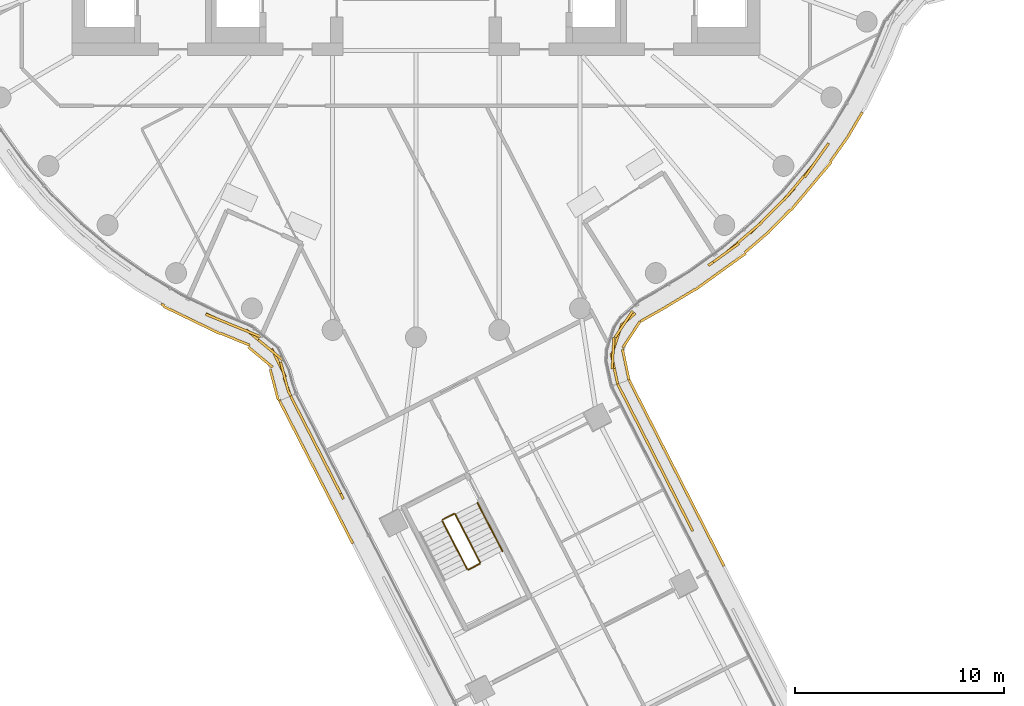
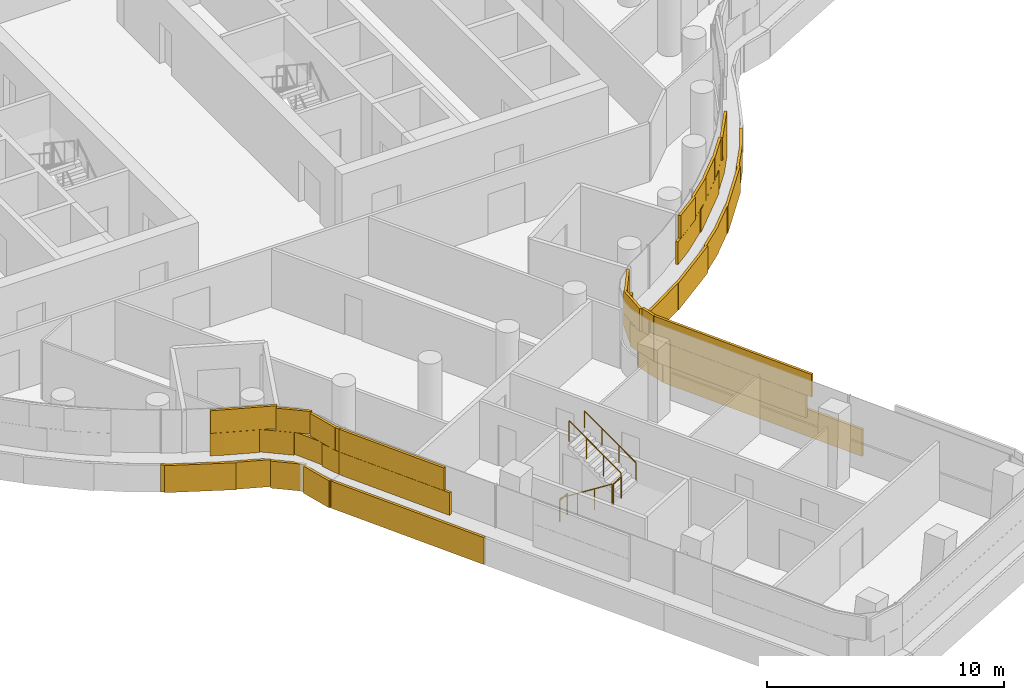
# One storey, part 29 of 37: 5 railings, 4 coverings.
"""IFC4 building model written with IfcOpenShell, lengths in metres."""

from ifc_helpers import new_model, si_unit, direction, frame, origin, origin_2d, place, context, subcontext, project, spatial, rectangle, circle, extrude, material, layer, layer_set, type_object, element, save


model = new_model("IFC4")

# Units and contexts
model_context = context("Model", 3, precision=1e-05, world=origin(), true_north=direction((0.0, 1.0)))
body_context = subcontext(model_context, "Body", "Model", "MODEL_VIEW")
ifc_project = project(units=[si_unit("LENGTHUNIT", "METRE"), si_unit("AREAUNIT", "SQUARE_METRE"), si_unit("VOLUMEUNIT", "CUBIC_METRE"), si_unit("PLANEANGLEUNIT", "RADIAN"), si_unit("MASSUNIT", "GRAM", prefix="KILO")], contexts=[model_context])

# Site, building, storey
site_placement = place(None, origin())
site = spatial("IfcSite", under=ifc_project, at=site_placement, CompositionType="ELEMENT")
building_placement = place(site_placement, origin())
building = spatial("IfcBuilding", under=site, at=building_placement, Name="Tamarind Cross Interchange Tower", CompositionType="ELEMENT")
storey_placement = place(building_placement, frame((0.0, 0.0, 133.0)))
storey = spatial("IfcBuildingStorey", under=building, at=storey_placement, Name="L32", CompositionType="ELEMENT", Elevation=133.0)

# Railings
ifc_material_1 = material(Name="Stair guard")
railing_type_1 = type_object("IfcRailingType", Name="Stair guard", PredefinedType="GUARDRAIL", material=ifc_material_1)
railing_1_placement = place(storey_placement, frame((1.265380859375, -31.8037109375, 0.17041015625)))
element("IfcRailing", 1, at=railing_1_placement, inside=storey, type_object=railing_type_1, Name="L32 ST6 stair guard 1", PredefinedType="GUARDRAIL", context=body_context, shape_type="SweptSolid", body=[
    extrude(circle(Radius=0.02392578125, at=origin_2d()), frame((0.0, 0.0, 1.076171875), z_axis=(0.381802773427, -0.744052093423, 0.548281975333), x_axis=(0.889702075766, 0.456541582309, 0.0)), (0.0, 0.0, 1.0), 3.10888671875),
    extrude(circle(Radius=0.02099609375, at=origin_2d()), origin(), (0.0, 0.0, 1.0), 1.052001953125),
    extrude(circle(Radius=0.02099609375, at=origin_2d()), frame((0.395751953125, -0.77099609375, 0.568115234375)), (0.0, 0.0, 1.0), 1.052001953125),
    extrude(circle(Radius=0.02099609375, at=origin_2d()), frame((0.791259765625, -1.542236328125, 1.136474609375)), (0.0, 0.0, 1.0), 1.052001953125),
    extrude(circle(Radius=0.02099609375, at=origin_2d()), frame((1.18701171875, -2.313232421875, 1.70458984375)), (0.0, 0.0, 1.0), 1.052001953125),
])
railing_2_placement = place(storey_placement, frame((2.519775390625, -34.138427734375, 1.875)))
element("IfcRailing", 2, at=railing_2_placement, inside=storey, type_object=railing_type_1, Name="L32 ST6 stair guard 2", PredefinedType="GUARDRAIL", context=body_context, shape_type="SweptSolid", body=[
    extrude(circle(Radius=0.02392578125, at=origin_2d()), frame((0.0, 0.0, 1.076171875), z_axis=(0.889741209134, 0.456465311682, 0.0), x_axis=(-0.456465311682, 0.889741209134, 0.0)), (0.0, 0.0, 1.0), 0.60009765625),
    extrude(circle(Radius=0.02099609375, at=origin_2d()), origin(), (0.0, 0.0, 1.0), 1.052001953125),
    extrude(circle(Radius=0.02099609375, at=origin_2d()), frame((0.533935546875, 0.27392578125, 0.0)), (0.0, 0.0, 1.0), 1.052001953125),
])
railing_3_placement = place(storey_placement, frame((3.0751953125, -33.79736328125, 2.04541015625)))
element("IfcRailing", 3, at=railing_3_placement, inside=storey, type_object=railing_type_1, Name="L32 ST6 stair guard 3", PredefinedType="GUARDRAIL", context=body_context, shape_type="SweptSolid", body=[
    extrude(circle(Radius=0.02392578125, at=origin_2d()), frame((0.0, 0.0, 1.076171875), z_axis=(-0.381802773427, 0.744052093423, 0.548281975333), x_axis=(-0.889702075766, -0.456541582309, 0.0)), (0.0, 0.0, 1.0), 3.10888671875),
    extrude(circle(Radius=0.02099609375, at=origin_2d()), origin(), (0.0, 0.0, 1.0), 1.052001953125),
    extrude(circle(Radius=0.02099609375, at=origin_2d()), frame((-0.395751953125, 0.77099609375, 0.568115234375)), (0.0, 0.0, 1.0), 1.052001953125),
    extrude(circle(Radius=0.02099609375, at=origin_2d()), frame((-0.791259765625, 1.542236328125, 1.136474609375)), (0.0, 0.0, 1.0), 1.052001953125),
    extrude(circle(Radius=0.02099609375, at=origin_2d()), frame((-1.18701171875, 2.313232421875, 1.70458984375)), (0.0, 0.0, 1.0), 1.052001953125),
])
railing_4_placement = place(storey_placement, frame((1.287109375, -31.736328125, 0.0)))
element("IfcRailing", 4, at=railing_4_placement, inside=storey, type_object=railing_type_1, Name="L32 ST6 stair guard 4", PredefinedType="GUARDRAIL", context=body_context, shape_type="SweptSolid", body=[
    extrude(circle(Radius=0.02392578125, at=origin_2d()), frame((0.0, 0.0, 1.076171875), z_axis=(0.889656395371, 0.456630592684, 0.0), x_axis=(-0.456630592684, 0.889656395371, 0.0)), (0.0, 0.0, 1.0), 0.599853515625),
    extrude(circle(Radius=0.02099609375, at=origin_2d()), origin(), (0.0, 0.0, 1.0), 1.052001953125),
    extrude(circle(Radius=0.02099609375, at=origin_2d()), frame((0.53369140625, 0.27392578125, 0.0)), (0.0, 0.0, 1.0), 1.052001953125),
])
ifc_material_2 = material(Name="Stair handrail")
railing_type_2 = type_object("IfcRailingType", Name="Stair handrail", PredefinedType="HANDRAIL", material=ifc_material_2)
railing_5_placement = place(storey_placement, frame((4.142822265625, -33.24951171875, 2.04541015625)))
element("IfcRailing", 5, at=railing_5_placement, inside=storey, type_object=railing_type_2, Name="L32 ST6 stair handrail 2", PredefinedType="HANDRAIL", context=body_context, shape_type="SweptSolid", body=[
    extrude(circle(Radius=0.02392578125, at=origin_2d()), frame((0.0, 0.0, 0.8759765625), z_axis=(-0.381802773427, 0.744052093423, 0.548281975333), x_axis=(-0.889702075766, -0.456541582309, 0.0)), (0.0, 0.0, 1.0), 3.10888671875),
    extrude(circle(Radius=0.02099609375, at=origin_2d()), origin(), (0.0, 0.0, 1.0), 0.851806640625),
    extrude(circle(Radius=0.02099609375, at=origin_2d()), frame((-0.395751953125, 0.77099609375, 0.568115234375)), (0.0, 0.0, 1.0), 0.851806640625),
    extrude(circle(Radius=0.02099609375, at=origin_2d()), frame((-0.791259765625, 1.542236328125, 1.136474609375)), (0.0, 0.0, 1.0), 0.851806640625),
    extrude(circle(Radius=0.02099609375, at=origin_2d()), frame((-1.18701171875, 2.313232421875, 1.70458984375)), (0.0, 0.0, 1.0), 0.851806640625),
])

# Coverings
ifc_material_3 = material(Name="Terracotta", Category="masonry")
ifc_layer = layer(ifc_material_3, 0.1201171875)
ifc_layer_set = layer_set([ifc_layer], Name="Terracotta")
covering_type = type_object("IfcCoveringType", Name="Terracotta baguette screen unit", PredefinedType="MOLDING", material=ifc_layer_set)
covering_1_placement = place(storey_placement, origin())
element("IfcCovering", 6, at=covering_1_placement, inside=storey, type_object=covering_type, Name="SCR-L32-02-01", PredefinedType="MOLDING", context=body_context, shape_type="SweptSolid", body=[
    extrude(rectangle(XDim=0.59130859375, YDim=0.1201171875, at=origin_2d()), frame((-9.80126953125, -21.991943359375, 1.404052734375), z_axis=(0.0, 0.0, 1.0), x_axis=(0.900272776334, -0.435326231914, 0.0)), (0.0, 0.0, 1.0), 1.1669921875),
    extrude(rectangle(XDim=1.52001953125, YDim=0.1201171875, at=origin_2d()), frame((-8.844482421875, -22.40087890625, 1.404052734375), z_axis=(0.0, 0.0, 1.0), x_axis=(0.92505344202, -0.379836977409, 0.0)), (0.0, 0.0, 1.0), 1.1669921875),
    extrude(rectangle(XDim=1.52001953125, YDim=0.1201171875, at=origin_2d()), frame((-7.5498046875, -23.12451171875, 1.404052734375), z_axis=(0.0, 0.0, 1.0), x_axis=(0.768852599928, -0.639426054821, 0.0)), (0.0, 0.0, 1.0), 1.1669921875),
    extrude(rectangle(XDim=1.52001953125, YDim=0.1201171875, at=origin_2d()), frame((-6.579833984375, -24.228271484375, 1.404052734375), z_axis=(0.0, 0.0, 1.0), x_axis=(0.442987520553, -0.896527777949, 0.0)), (0.0, 0.0, 1.0), 1.1669921875),
    extrude(rectangle(XDim=0.953857421875, YDim=0.1201171875, at=origin_2d()), frame((-6.1689453125, -25.373046875, 1.404052734375), z_axis=(0.0, 0.0, 1.0), x_axis=(0.336516796863, -0.941677463588, 0.0)), (0.0, 0.0, 1.0), 1.1669921875),
    extrude(rectangle(XDim=1.34130859375, YDim=0.1201171875, at=origin_2d()), frame((-9.46044921875, -22.14794921875, 2.5791015625), z_axis=(0.0, 0.0, 1.0), x_axis=(0.92505344202, -0.379836977409, 0.0)), (0.0, 0.0, 1.0), 1.1669921875),
    extrude(rectangle(XDim=1.52001953125, YDim=0.1201171875, at=origin_2d()), frame((-8.15087890625, -22.685546875, 2.5791015625), z_axis=(0.0, 0.0, 1.0), x_axis=(0.92505344202, -0.379836977409, 0.0)), (0.0, 0.0, 1.0), 1.1669921875),
    extrude(rectangle(XDim=1.52001953125, YDim=0.1201171875, at=origin_2d()), frame((-6.97314453125, -23.604248046875, 2.5791015625), z_axis=(0.0, 0.0, 1.0), x_axis=(0.768852599928, -0.639426054821, 0.0)), (0.0, 0.0, 1.0), 1.1669921875),
    extrude(rectangle(XDim=1.52001953125, YDim=0.1201171875, at=origin_2d()), frame((-6.294189453125, -24.918212890625, 2.5791015625), z_axis=(0.0, 0.0, 1.0), x_axis=(0.254848409458, -0.966981017495, 0.0)), (0.0, 0.0, 1.0), 1.1669921875),
    extrude(rectangle(XDim=0.203857421875, YDim=0.1201171875, at=origin_2d()), frame((-6.042724609375, -25.72607421875, 2.5791015625), z_axis=(0.0, 0.0, 1.0), x_axis=(0.336516796863, -0.941677463588, 0.0)), (0.0, 0.0, 1.0), 1.1669921875),
    extrude(rectangle(XDim=0.188720703125, YDim=0.1201171875, at=origin_2d()), frame((-12.131591796875, -21.45068359375, 0.00390625), z_axis=(0.0, 0.0, 1.0), x_axis=(0.861248933065, -0.508183308752, 0.0)), (0.0, 0.0, 1.0), 1.39208984375),
    extrude(rectangle(XDim=1.52001953125, YDim=0.1201171875, at=origin_2d()), frame((-11.40234375, -21.855224609375, 0.00390625), z_axis=(0.0, 0.0, 1.0), x_axis=(0.900272776334, -0.435326231914, 0.0)), (0.0, 0.0, 1.0), 1.39208984375),
    extrude(rectangle(XDim=1.52001953125, YDim=0.1201171875, at=origin_2d()), frame((-10.052001953125, -22.50830078125, 0.00390625), z_axis=(0.0, 0.0, 1.0), x_axis=(0.900272776334, -0.435326231914, 0.0)), (0.0, 0.0, 1.0), 1.39208984375),
    extrude(rectangle(XDim=1.52001953125, YDim=0.1201171875, at=origin_2d()), frame((-8.6708984375, -23.092529296875, 0.00390625), z_axis=(0.0, 0.0, 1.0), x_axis=(0.92505344202, -0.379836977409, 0.0)), (0.0, 0.0, 1.0), 1.39208984375),
    extrude(rectangle(XDim=1.52001953125, YDim=0.1201171875, at=origin_2d()), frame((-7.4560546875, -23.94921875, 0.00390625), z_axis=(0.0, 0.0, 1.0), x_axis=(0.768852599928, -0.639426054821, 0.0)), (0.0, 0.0, 1.0), 1.39208984375),
    extrude(rectangle(XDim=1.52001953125, YDim=0.1201171875, at=origin_2d()), frame((-6.7958984375, -25.266357421875, 0.00390625), z_axis=(0.0, 0.0, 1.0), x_axis=(0.254848409458, -0.966981017495, 0.0)), (0.0, 0.0, 1.0), 1.39208984375),
    extrude(rectangle(XDim=0.081787109375, YDim=0.1201171875, at=origin_2d()), frame((-6.5517578125, -26.007568359375, 0.00390625), z_axis=(0.0, 0.0, 1.0), x_axis=(0.336516796863, -0.941677463588, 0.0)), (0.0, 0.0, 1.0), 1.39208984375),
])
covering_2_placement = place(storey_placement, origin())
element("IfcCovering", 7, at=covering_2_placement, inside=storey, type_object=covering_type, Name="SCR-L32-03-00", PredefinedType="MOLDING", context=body_context, shape_type="SweptSolid", body=[
    extrude(rectangle(XDim=1.510009765625, YDim=0.1201171875, at=origin_2d()), frame((-5.667724609375, -26.484619140625, 1.404052734375), z_axis=(0.0, 0.0, 1.0), x_axis=(0.456551422638, -0.889697026233, 0.0)), (0.0, 0.0, 1.0), 1.1669921875),
    extrude(rectangle(XDim=1.52001953125, YDim=0.1201171875, at=origin_2d()), frame((-4.98291015625, -27.819091796875, 1.404052734375), z_axis=(0.0, 0.0, 1.0), x_axis=(0.456551422638, -0.889697026233, 0.0)), (0.0, 0.0, 1.0), 1.1669921875),
    extrude(rectangle(XDim=1.52001953125, YDim=0.1201171875, at=origin_2d()), frame((-4.298095703125, -29.15380859375, 1.404052734375), z_axis=(0.0, 0.0, 1.0), x_axis=(0.456551422638, -0.889697026233, 0.0)), (0.0, 0.0, 1.0), 1.1669921875),
    extrude(rectangle(XDim=1.05712890625, YDim=0.1201171875, at=origin_2d()), frame((-3.716552734375, -30.286865234375, 1.404052734375), z_axis=(0.0, 0.0, 1.0), x_axis=(0.456551422638, -0.889697026233, 0.0)), (0.0, 0.0, 1.0), 1.1669921875),
    extrude(rectangle(XDim=0.760009765625, YDim=0.1201171875, at=origin_2d()), frame((-5.8388671875, -26.15087890625, 2.5791015625), z_axis=(0.0, 0.0, 1.0), x_axis=(0.456551422638, -0.889697026233, 0.0)), (0.0, 0.0, 1.0), 1.1669921875),
    extrude(rectangle(XDim=1.52001953125, YDim=0.1201171875, at=origin_2d()), frame((-5.3251953125, -27.15185546875, 2.5791015625), z_axis=(0.0, 0.0, 1.0), x_axis=(0.456551422638, -0.889697026233, 0.0)), (0.0, 0.0, 1.0), 1.1669921875),
    extrude(rectangle(XDim=1.52001953125, YDim=0.1201171875, at=origin_2d()), frame((-4.640380859375, -28.486328125, 2.5791015625), z_axis=(0.0, 0.0, 1.0), x_axis=(0.456551422638, -0.889697026233, 0.0)), (0.0, 0.0, 1.0), 1.1669921875),
    extrude(rectangle(XDim=1.52001953125, YDim=0.1201171875, at=origin_2d()), frame((-3.95556640625, -29.821044921875, 2.5791015625), z_axis=(0.0, 0.0, 1.0), x_axis=(0.456551422638, -0.889697026233, 0.0)), (0.0, 0.0, 1.0), 1.1669921875),
    extrude(rectangle(XDim=1.510009765625, YDim=0.1201171875, at=origin_2d()), frame((-6.193359375, -26.7177734375, 0.00390625), z_axis=(0.0, 0.0, 1.0), x_axis=(0.456551422638, -0.889697026233, 0.0)), (0.0, 0.0, 1.0), 1.39208984375),
    extrude(rectangle(XDim=1.52001953125, YDim=0.1201171875, at=origin_2d()), frame((-5.5107421875, -28.0478515625, 0.00390625), z_axis=(0.0, 0.0, 1.0), x_axis=(0.456551422638, -0.889697026233, 0.0)), (0.0, 0.0, 1.0), 1.39208984375),
    extrude(rectangle(XDim=1.52001953125, YDim=0.1201171875, at=origin_2d()), frame((-4.825927734375, -29.38232421875, 0.00390625), z_axis=(0.0, 0.0, 1.0), x_axis=(0.456551422638, -0.889697026233, 0.0)), (0.0, 0.0, 1.0), 1.39208984375),
    extrude(rectangle(XDim=1.52001953125, YDim=0.1201171875, at=origin_2d()), frame((-4.14111328125, -30.716796875, 0.00390625), z_axis=(0.0, 0.0, 1.0), x_axis=(0.456551422638, -0.889697026233, 0.0)), (0.0, 0.0, 1.0), 1.39208984375),
    extrude(rectangle(XDim=1.52001953125, YDim=0.1201171875, at=origin_2d()), frame((-3.456298828125, -32.051513671875, 0.00390625), z_axis=(0.0, 0.0, 1.0), x_axis=(0.456551422638, -0.889697026233, 0.0)), (0.0, 0.0, 1.0), 1.39208984375),
    extrude(rectangle(XDim=0.192138671875, YDim=0.1201171875, at=origin_2d()), frame((-3.074462890625, -32.795166015625, 0.00390625), z_axis=(0.0, 0.0, 1.0), x_axis=(0.456551422638, -0.889697026233, 0.0)), (0.0, 0.0, 1.0), 1.39208984375),
])
covering_3_placement = place(storey_placement, origin())
element("IfcCovering", 8, at=covering_3_placement, inside=storey, type_object=covering_type, Name="SCR-L32-05-01", PredefinedType="MOLDING", context=body_context, shape_type="SweptSolid", body=[
    extrude(rectangle(XDim=1.52001953125, YDim=0.1201171875, at=origin_2d()), frame((12.807373046875, -31.381591796875, 1.404052734375), z_axis=(0.0, 0.0, 1.0), x_axis=(-0.454846512766, 0.890569845562, 0.0)), (0.0, 0.0, 1.0), 1.1669921875),
    extrude(rectangle(XDim=1.52001953125, YDim=0.1201171875, at=origin_2d()), frame((12.125, -30.045654296875, 1.404052734375), z_axis=(0.0, 0.0, 1.0), x_axis=(-0.454846512766, 0.890569845562, 0.0)), (0.0, 0.0, 1.0), 1.1669921875),
    extrude(rectangle(XDim=1.52001953125, YDim=0.1201171875, at=origin_2d()), frame((11.44287109375, -28.709716796875, 1.404052734375), z_axis=(0.0, 0.0, 1.0), x_axis=(-0.454846512766, 0.890569845562, 0.0)), (0.0, 0.0, 1.0), 1.1669921875),
    extrude(rectangle(XDim=1.52001953125, YDim=0.1201171875, at=origin_2d()), frame((10.760498046875, -27.3740234375, 1.404052734375), z_axis=(0.0, 0.0, 1.0), x_axis=(-0.454846512766, 0.890569845562, 0.0)), (0.0, 0.0, 1.0), 1.1669921875),
    extrude(rectangle(XDim=1.52001953125, YDim=0.1201171875, at=origin_2d()), frame((10.078369140625, -26.0380859375, 1.404052734375), z_axis=(0.0, 0.0, 1.0), x_axis=(-0.454846512766, 0.890569845562, 0.0)), (0.0, 0.0, 1.0), 1.1669921875),
    extrude(rectangle(XDim=0.159423828125, YDim=0.1201171875, at=origin_2d()), frame((9.703125, -25.303466796875, 1.404052734375), z_axis=(0.0, 0.0, 1.0), x_axis=(-0.454846512766, 0.890569845562, 0.0)), (0.0, 0.0, 1.0), 1.1669921875),
    extrude(rectangle(XDim=1.028076171875, YDim=0.1201171875, at=origin_2d()), frame((13.038818359375, -31.834716796875, 2.5791015625), z_axis=(0.0, 0.0, 1.0), x_axis=(-0.454846512766, 0.890569845562, 0.0)), (0.0, 0.0, 1.0), 1.1669921875),
    extrude(rectangle(XDim=1.52001953125, YDim=0.1201171875, at=origin_2d()), frame((12.46630859375, -30.713623046875, 2.5791015625), z_axis=(0.0, 0.0, 1.0), x_axis=(-0.454846512766, 0.890569845562, 0.0)), (0.0, 0.0, 1.0), 1.1669921875),
    extrude(rectangle(XDim=1.52001953125, YDim=0.1201171875, at=origin_2d()), frame((11.783935546875, -29.377685546875, 2.5791015625), z_axis=(0.0, 0.0, 1.0), x_axis=(-0.454846512766, 0.890569845562, 0.0)), (0.0, 0.0, 1.0), 1.1669921875),
    extrude(rectangle(XDim=1.52001953125, YDim=0.1201171875, at=origin_2d()), frame((11.1015625, -28.041748046875, 2.5791015625), z_axis=(0.0, 0.0, 1.0), x_axis=(-0.454846512766, 0.890569845562, 0.0)), (0.0, 0.0, 1.0), 1.1669921875),
    extrude(rectangle(XDim=1.52001953125, YDim=0.1201171875, at=origin_2d()), frame((10.41943359375, -26.7060546875, 2.5791015625), z_axis=(0.0, 0.0, 1.0), x_axis=(-0.454846512766, 0.890569845562, 0.0)), (0.0, 0.0, 1.0), 1.1669921875),
    extrude(rectangle(XDim=0.909423828125, YDim=0.1201171875, at=origin_2d()), frame((9.873779296875, -25.637451171875, 2.5791015625), z_axis=(0.0, 0.0, 1.0), x_axis=(-0.454846512766, 0.890569845562, 0.0)), (0.0, 0.0, 1.0), 1.1669921875),
    extrude(rectangle(XDim=0.87841796875, YDim=0.1201171875, at=origin_2d()), frame((14.5712890625, -33.5732421875, 0.00390625), z_axis=(0.0, 0.0, 1.0), x_axis=(-0.454846512766, 0.890569845562, 0.0)), (0.0, 0.0, 1.0), 1.39208984375),
    extrude(rectangle(XDim=1.52001953125, YDim=0.1201171875, at=origin_2d()), frame((14.034912109375, -32.523193359375, 0.00390625), z_axis=(0.0, 0.0, 1.0), x_axis=(-0.454846512766, 0.890569845562, 0.0)), (0.0, 0.0, 1.0), 1.39208984375),
    extrude(rectangle(XDim=1.52001953125, YDim=0.1201171875, at=origin_2d()), frame((13.3525390625, -31.187255859375, 0.00390625), z_axis=(0.0, 0.0, 1.0), x_axis=(-0.454846512766, 0.890569845562, 0.0)), (0.0, 0.0, 1.0), 1.39208984375),
    extrude(rectangle(XDim=1.52001953125, YDim=0.1201171875, at=origin_2d()), frame((12.67041015625, -29.851318359375, 0.00390625), z_axis=(0.0, 0.0, 1.0), x_axis=(-0.454846512766, 0.890569845562, 0.0)), (0.0, 0.0, 1.0), 1.39208984375),
    extrude(rectangle(XDim=1.52001953125, YDim=0.1201171875, at=origin_2d()), frame((11.988037109375, -28.515625, 0.00390625), z_axis=(0.0, 0.0, 1.0), x_axis=(-0.454846512766, 0.890569845562, 0.0)), (0.0, 0.0, 1.0), 1.39208984375),
    extrude(rectangle(XDim=1.52001953125, YDim=0.1201171875, at=origin_2d()), frame((11.305908203125, -27.1796875, 0.00390625), z_axis=(0.0, 0.0, 1.0), x_axis=(-0.454846512766, 0.890569845562, 0.0)), (0.0, 0.0, 1.0), 1.39208984375),
    extrude(rectangle(XDim=1.52001953125, YDim=0.1201171875, at=origin_2d()), frame((10.62353515625, -25.84375, 0.00390625), z_axis=(0.0, 0.0, 1.0), x_axis=(-0.454846512766, 0.890569845562, 0.0)), (0.0, 0.0, 1.0), 1.39208984375),
    extrude(rectangle(XDim=0.15869140625, YDim=0.1201171875, at=origin_2d()), frame((10.2509765625, -25.1142578125, 0.00390625), z_axis=(0.0, 0.0, 1.0), x_axis=(-0.454846512766, 0.890569845562, 0.0)), (0.0, 0.0, 1.0), 1.39208984375),
])
covering_4_placement = place(storey_placement, origin())
element("IfcCovering", 9, at=covering_4_placement, inside=storey, type_object=covering_type, Name="SCR-L32-06-00", PredefinedType="MOLDING", context=body_context, shape_type="SweptSolid", body=[
    extrude(rectangle(XDim=1.510009765625, YDim=0.1201171875, at=origin_2d()), frame((9.513427734375, -24.50341796875, 1.404052734375), z_axis=(0.0, 0.0, 1.0), x_axis=(-0.207560655283, 0.97822214981, 0.0)), (0.0, 0.0, 1.0), 1.1669921875),
    extrude(rectangle(XDim=1.52001953125, YDim=0.1201171875, at=origin_2d()), frame((9.65087890625, -23.0439453125, 1.404052734375), z_axis=(0.0, 0.0, 1.0), x_axis=(0.315504691022, 0.948924016949, 0.0)), (0.0, 0.0, 1.0), 1.1669921875),
    extrude(rectangle(XDim=0.767822265625, YDim=0.1201171875, at=origin_2d()), frame((10.226318359375, -22.097412109375, 1.404052734375), z_axis=(0.0, 0.0, 1.0), x_axis=(0.751977964795, 0.659188243571, 0.0)), (0.0, 0.0, 1.0), 1.1669921875),
    extrude(rectangle(XDim=1.052001953125, YDim=0.1201171875, at=origin_2d()), frame((14.4443359375, -19.254150390625, 1.404052734375), z_axis=(0.0, 0.0, 1.0), x_axis=(0.811340475102, 0.584573890505, 0.0)), (0.0, 0.0, 1.0), 1.1669921875),
    extrude(rectangle(XDim=1.52001953125, YDim=0.1201171875, at=origin_2d()), frame((15.437744140625, -18.463134765625, 1.404052734375), z_axis=(0.0, 0.0, 1.0), x_axis=(0.760295606781, 0.64957723968, 0.0)), (0.0, 0.0, 1.0), 1.1669921875),
    extrude(rectangle(XDim=1.52001953125, YDim=0.1201171875, at=origin_2d()), frame((16.564208984375, -17.4736328125, 1.404052734375), z_axis=(0.0, 0.0, 1.0), x_axis=(0.704057148523, 0.710143317658, 0.0)), (0.0, 0.0, 1.0), 1.1669921875),
    extrude(rectangle(XDim=1.52001953125, YDim=0.1201171875, at=origin_2d()), frame((17.620361328125, -16.408447265625, 1.404052734375), z_axis=(0.0, 0.0, 1.0), x_axis=(0.704057148523, 0.710143317658, 0.0)), (0.0, 0.0, 1.0), 1.1669921875),
    extrude(rectangle(XDim=1.52001953125, YDim=0.1201171875, at=origin_2d()), frame((18.599609375, -15.273193359375, 1.404052734375), z_axis=(0.0, 0.0, 1.0), x_axis=(0.643009266048, 0.765858396687, 0.0)), (0.0, 0.0, 1.0), 1.1669921875),
    extrude(rectangle(XDim=1.228759765625, YDim=0.1201171875, at=origin_2d()), frame((19.4326171875, -14.200439453125, 1.404052734375), z_axis=(0.0, 0.0, 1.0), x_axis=(0.577568978284, 0.816341886298, 0.0)), (0.0, 0.0, 1.0), 1.1669921875),
    extrude(rectangle(XDim=0.760009765625, YDim=0.1201171875, at=origin_2d()), frame((9.59130859375, -24.8701171875, 2.5791015625), z_axis=(0.0, 0.0, 1.0), x_axis=(-0.207560655283, 0.97822214981, 0.0)), (0.0, 0.0, 1.0), 1.1669921875),
    extrude(rectangle(XDim=1.52001953125, YDim=0.1201171875, at=origin_2d()), frame((9.450439453125, -23.762451171875, 2.5791015625), z_axis=(0.0, 0.0, 1.0), x_axis=(0.055924715996, 0.99843498844, 0.0)), (0.0, 0.0, 1.0), 1.1669921875),
    extrude(rectangle(XDim=1.52001953125, YDim=0.1201171875, at=origin_2d()), frame((9.969970703125, -22.372314453125, 2.5791015625), z_axis=(0.0, 0.0, 1.0), x_axis=(0.553051995479, 0.833146739955, 0.0)), (0.0, 0.0, 1.0), 1.1669921875),
    extrude(rectangle(XDim=1.52001953125, YDim=0.1201171875, at=origin_2d()), frame((14.866943359375, -18.949462890625, 2.5791015625), z_axis=(0.0, 0.0, 1.0), x_axis=(0.811340475102, 0.584573890505, 0.0)), (0.0, 0.0, 1.0), 1.1669921875),
    extrude(rectangle(XDim=1.52001953125, YDim=0.1201171875, at=origin_2d()), frame((16.008056640625, -17.975830078125, 2.5791015625), z_axis=(0.0, 0.0, 1.0), x_axis=(0.760295606781, 0.64957723968, 0.0)), (0.0, 0.0, 1.0), 1.1669921875),
    extrude(rectangle(XDim=1.52001953125, YDim=0.1201171875, at=origin_2d()), frame((17.09228515625, -16.941162109375, 2.5791015625), z_axis=(0.0, 0.0, 1.0), x_axis=(0.704057148523, 0.710143317658, 0.0)), (0.0, 0.0, 1.0), 1.1669921875),
    extrude(rectangle(XDim=1.52001953125, YDim=0.1201171875, at=origin_2d()), frame((18.117431640625, -15.847412109375, 2.5791015625), z_axis=(0.0, 0.0, 1.0), x_axis=(0.643009266048, 0.765858396687, 0.0)), (0.0, 0.0, 1.0), 1.1669921875),
    extrude(rectangle(XDim=1.52001953125, YDim=0.1201171875, at=origin_2d()), frame((19.080810546875, -14.69775390625, 2.5791015625), z_axis=(0.0, 0.0, 1.0), x_axis=(0.577568978284, 0.816341886298, 0.0)), (0.0, 0.0, 1.0), 1.1669921875),
    extrude(rectangle(XDim=0.478759765625, YDim=0.1201171875, at=origin_2d()), frame((19.649169921875, -13.894287109375, 2.5791015625), z_axis=(0.0, 0.0, 1.0), x_axis=(0.577568978284, 0.816341886298, 0.0)), (0.0, 0.0, 1.0), 1.1669921875),
    extrude(rectangle(XDim=1.510009765625, YDim=0.1201171875, at=origin_2d()), frame((10.05810546875, -24.304931640625, 0.00390625), z_axis=(0.0, 0.0, 1.0), x_axis=(-0.207560655283, 0.97822214981, 0.0)), (0.0, 0.0, 1.0), 1.39208984375),
    extrude(rectangle(XDim=1.52001953125, YDim=0.1201171875, at=origin_2d()), frame((10.329345703125, -22.868896484375, 0.00390625), z_axis=(0.0, 0.0, 1.0), x_axis=(0.553051995479, 0.833146739955, 0.0)), (0.0, 0.0, 1.0), 1.39208984375),
    extrude(rectangle(XDim=1.52001953125, YDim=0.1201171875, at=origin_2d()), frame((11.42529296875, -21.865234375, 0.00390625), z_axis=(0.0, 0.0, 1.0), x_axis=(0.871328621761, 0.490699941818, 0.0)), (0.0, 0.0, 1.0), 1.39208984375),
    extrude(rectangle(XDim=1.52001953125, YDim=0.1201171875, at=origin_2d()), frame((12.717529296875, -21.103759765625, 0.00390625), z_axis=(0.0, 0.0, 1.0), x_axis=(0.856843065292, 0.515577308909, 0.0)), (0.0, 0.0, 1.0), 1.39208984375),
    extrude(rectangle(XDim=1.52001953125, YDim=0.1201171875, at=origin_2d()), frame((13.97998046875, -20.296142578125, 0.00390625), z_axis=(0.0, 0.0, 1.0), x_axis=(0.811340475102, 0.584573890505, 0.0)), (0.0, 0.0, 1.0), 1.39208984375),
    extrude(rectangle(XDim=1.52001953125, YDim=0.1201171875, at=origin_2d()), frame((15.197021484375, -19.419189453125, 0.00390625), z_axis=(0.0, 0.0, 1.0), x_axis=(0.811340475102, 0.584573890505, 0.0)), (0.0, 0.0, 1.0), 1.39208984375),
    extrude(rectangle(XDim=1.52001953125, YDim=0.1201171875, at=origin_2d()), frame((16.339599609375, -18.447509765625, 0.00390625), z_axis=(0.0, 0.0, 1.0), x_axis=(0.760295606781, 0.64957723968, 0.0)), (0.0, 0.0, 1.0), 1.39208984375),
    extrude(rectangle(XDim=1.52001953125, YDim=0.1201171875, at=origin_2d()), frame((17.42822265625, -17.41748046875, 0.00390625), z_axis=(0.0, 0.0, 1.0), x_axis=(0.704057148523, 0.710143317658, 0.0)), (0.0, 0.0, 1.0), 1.39208984375),
    extrude(rectangle(XDim=1.52001953125, YDim=0.1201171875, at=origin_2d()), frame((18.4609375, -16.330810546875, 0.00390625), z_axis=(0.0, 0.0, 1.0), x_axis=(0.643009266048, 0.765858396687, 0.0)), (0.0, 0.0, 1.0), 1.39208984375),
    extrude(rectangle(XDim=1.52001953125, YDim=0.1201171875, at=origin_2d()), frame((19.425537109375, -15.18212890625, 0.00390625), z_axis=(0.0, 0.0, 1.0), x_axis=(0.643009266048, 0.765858396687, 0.0)), (0.0, 0.0, 1.0), 1.39208984375),
    extrude(rectangle(XDim=1.52001953125, YDim=0.1201171875, at=origin_2d()), frame((20.302001953125, -13.965576171875, 0.00390625), z_axis=(0.0, 0.0, 1.0), x_axis=(0.577568978284, 0.816341886298, 0.0)), (0.0, 0.0, 1.0), 1.39208984375),
    extrude(rectangle(XDim=1.331298828125, YDim=0.1201171875, at=origin_2d()), frame((21.064453125, -12.7861328125, 0.00390625), z_axis=(0.0, 0.0, 1.0), x_axis=(0.508183308752, 0.861248933065, 0.0)), (0.0, 0.0, 1.0), 1.39208984375),
])

save(model, "model.ifc")
